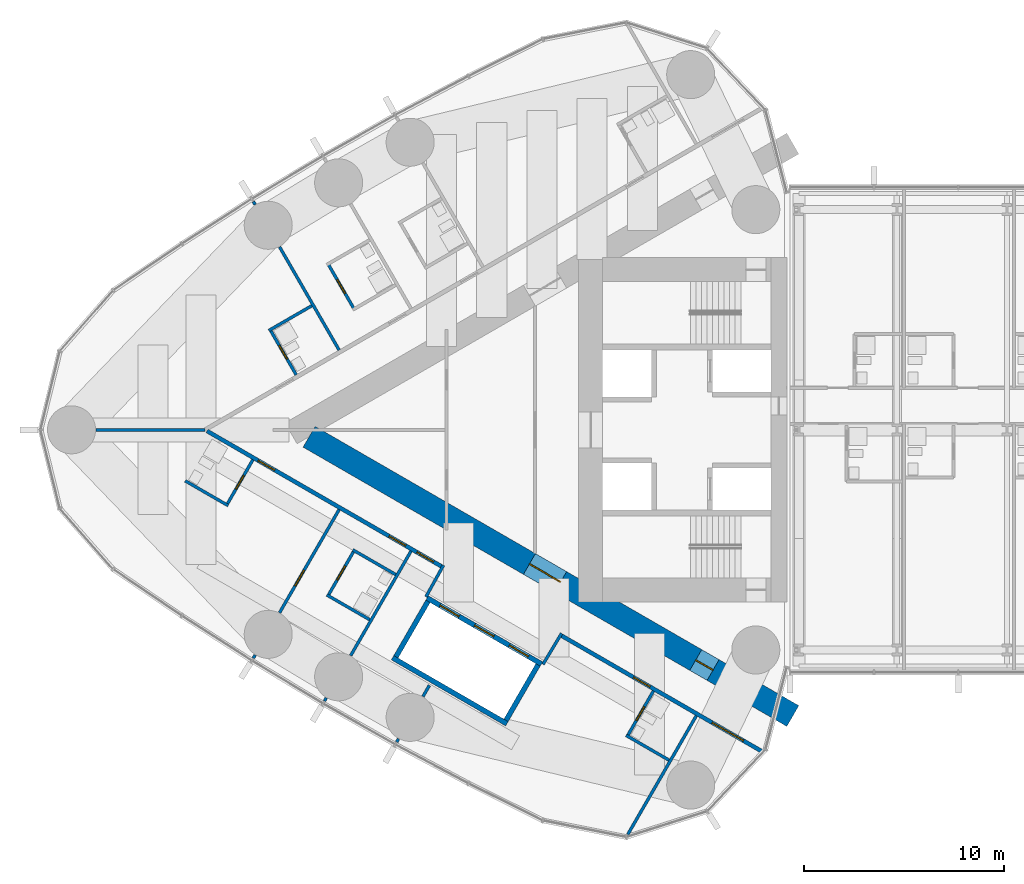
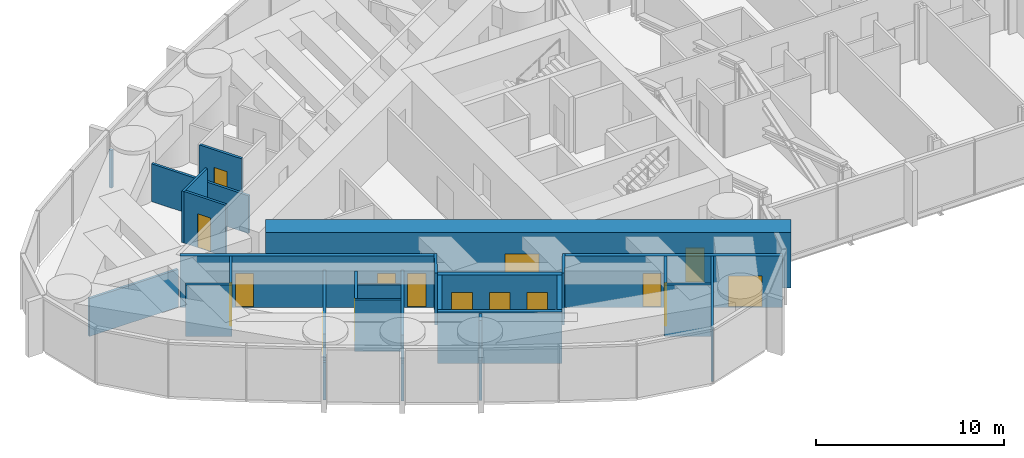
# One storey, part 14 of 23: 29 walls, 16 doors, 16 openings.
"""IFC4 building model written with IfcOpenShell, lengths in metres."""

import ifcopenshell
import ifcopenshell.guid

model = None  # the IFC model being written
_history = None  # IfcOwnerHistory: only IFC2X3 demands one
_inside = {}  # id of a spatial element -> (the spatial element, [elements in it])
_under = {}  # id of a project, library or spatial element -> (it, [spatial elements below it])
_declared = {}  # id of a project -> (the project, [libraries it declares])
_typed = {}  # id of a type object -> (the type object, [elements of that type])
_made_of = {}  # id of a material, layer set ... -> (it, [elements and type objects made of it])


def new_model(schema):
    """Start an empty IFC model of exactly this schema.

    Asked for "IFC4X3", IfcOpenShell would pick the latest addendum, in which some entities
    have other attributes; the version numbers below select the first issue.
    IFC2X3 requires an IfcOwnerHistory on every rooted entity: one is made here for all.
    """
    global model, _history
    if schema == "IFC4X3":
        model = ifcopenshell.file(schema_version=(4, 3, 0, 0))
    else:
        model = ifcopenshell.file(schema=schema)
    _inside.clear()
    _under.clear()
    _declared.clear()
    _typed.clear()
    _made_of.clear()
    _history = None
    if model.schema == "IFC2X3":
        org = make("IfcOrganization", Name="unknown")
        user = make(
            "IfcPersonAndOrganization",
            ThePerson=make("IfcPerson", FamilyName="unknown"),
            TheOrganization=org,
        )
        app = make(
            "IfcApplication",
            ApplicationDeveloper=org,
            Version="unknown",
            ApplicationFullName="unknown",
            ApplicationIdentifier="unknown",
        )
        _history = make(
            "IfcOwnerHistory",
            OwningUser=user,
            OwningApplication=app,
            ChangeAction="ADDED",
            CreationDate=0,
        )
    return model


def make(cls, **values):
    """One entity of the class cls with the attributes given. An attribute that is None is left unset."""
    return model.create_entity(
        cls, **{name: value for name, value in values.items() if value is not None}
    )


def rooted(cls, **values):
    """An entity with a GlobalId (a new one), such as an element, a storey or a relation."""
    return make(cls, GlobalId=ifcopenshell.guid.new(), OwnerHistory=_history, **values)


def si_unit(unit_type, name, prefix=None):
    """IfcSIUnit, for example si_unit("LENGTHUNIT", "METRE", prefix="MILLI")."""
    return make("IfcSIUnit", UnitType=unit_type, Prefix=prefix, Name=name)


def assignment(units):
    """IfcUnitAssignment: the units of a project."""
    return None if units is None else make("IfcUnitAssignment", Units=units)


def point(xyz):
    """IfcCartesianPoint."""
    return None if xyz is None else make("IfcCartesianPoint", Coordinates=xyz)


def direction(xyz):
    """IfcDirection."""
    return None if xyz is None else make("IfcDirection", DirectionRatios=xyz)


def frame(location, z_axis=None, x_axis=None):
    """IfcAxis2Placement3D, a coordinate frame: its origin and axes. An axis left out is left unset."""
    return make(
        "IfcAxis2Placement3D",
        Location=point(location),
        Axis=direction(z_axis),
        RefDirection=direction(x_axis),
    )


def frame_2d(location, x_axis=None):
    """IfcAxis2Placement2D, a coordinate frame in the plane: its origin and x axis."""
    return make(
        "IfcAxis2Placement2D", Location=point(location), RefDirection=direction(x_axis)
    )


def origin():
    """The frame at (0, 0, 0) with its axes left unset."""
    return frame((0.0, 0.0, 0.0))


def place(relative_to, where):
    """IfcLocalPlacement: puts the frame where relative to a parent placement (None: the world)."""
    return make(
        "IfcLocalPlacement", PlacementRelTo=relative_to, RelativePlacement=where
    )


def context(
    kind, dimensions, precision=None, world=None, true_north=None, identifier=None
):
    """IfcGeometricRepresentationContext, for example the 3D "Model" context."""
    return make(
        "IfcGeometricRepresentationContext",
        ContextIdentifier=identifier,
        ContextType=kind,
        CoordinateSpaceDimension=dimensions,
        Precision=precision,
        WorldCoordinateSystem=world,
        TrueNorth=true_north,
    )


def subcontext(parent, identifier, kind, view, scale=None):
    """IfcGeometricRepresentationSubContext, for example "Body" below "Model"."""
    return make(
        "IfcGeometricRepresentationSubContext",
        ContextIdentifier=identifier,
        ContextType=kind,
        ParentContext=parent,
        TargetScale=scale,
        TargetView=view,
    )


def project(units=None, contexts=None):
    """IfcProject with its units and contexts."""
    return rooted(
        "IfcProject",
        Name="project",
        RepresentationContexts=contexts,
        UnitsInContext=assignment(units),
    )


def spatial(cls, under=None, at=None, **own):
    """A site, building, storey or space (cls), placed at a placement, below another one or the project."""
    s = rooted(cls, ObjectPlacement=at, **own)
    if under is not None:
        _under.setdefault(under.id(), (under, []))[1].append(s)
    return s


def profile(cls, at=None, kind="AREA", **sizes):
    """A parametric profile (cls). Its sizes go by their IFC names, for example OverallWidth=200.0."""
    return make(cls, ProfileType=kind, Position=at, **sizes)


def rectangle(**sizes):
    """IfcRectangleProfileDef."""
    return profile("IfcRectangleProfileDef", **sizes)


def extrude(swept, where, along, depth):
    """IfcExtrudedAreaSolid: the profile swept, set in the frame where, extruded along a direction by depth."""
    return make(
        "IfcExtrudedAreaSolid",
        SweptArea=swept,
        Position=where,
        ExtrudedDirection=direction(along),
        Depth=depth,
    )


def shape(context_of_items, identifier, shape_type, items):
    """IfcShapeRepresentation: the items that make up one representation, for example the "Body"."""
    return make(
        "IfcShapeRepresentation",
        ContextOfItems=context_of_items,
        RepresentationIdentifier=identifier,
        RepresentationType=shape_type,
        Items=items,
    )


def material(Name=None, Category=None):
    """IfcMaterial."""
    return make("IfcMaterial", Name=Name, Category=Category)


def layer(
    of_material, thickness, ventilated=None, Name=None, Category=None, Priority=None
):
    """IfcMaterialLayer: one layer of a wall or slab, of a material (None: an air gap)."""
    return make(
        "IfcMaterialLayer",
        Material=of_material,
        LayerThickness=thickness,
        IsVentilated=ventilated,
        Name=Name,
        Category=Category,
        Priority=Priority,
    )


def layer_set(layers, Name=None):
    """IfcMaterialLayerSet."""
    return make("IfcMaterialLayerSet", MaterialLayers=layers, LayerSetName=Name)


def made_of(thing, what):
    """Note that an element or type object is made of a material, layer set ...; save() writes the relation."""
    if what is not None:
        _made_of.setdefault(what.id(), (what, []))[1].append(thing)
    return thing


def type_object(cls, material=None, **own):
    """A type object (cls), such as IfcWallType, which elements share."""
    return made_of(rooted(cls, **own), material)


def element(
    cls,
    number,
    at=None,
    inside=None,
    cuts=None,
    type_object=None,
    material=None,
    context=None,
    identifier="Body",
    shape_type=None,
    held_by="IfcProductDefinitionShape",
    body=None,
    shapes=None,
    **own,
):
    """One element of the class cls, such as IfcWall. Its Tag is "e" and its number.

    at: its placement. inside: the storey or other place that contains it. cuts: it is an
    opening in that element (IfcRelVoidsElement). A single representation is given by context,
    identifier, shape_type and body (its items); several are given by shapes. held_by: the class
    of the entity that holds the representations. save() writes the other relations.
    """
    e = rooted(cls, Tag="e%d" % number, ObjectPlacement=at, **own)
    if body is not None:
        shapes = [shape(context, identifier, shape_type, body)]
    if shapes is not None:
        e.Representation = make(held_by, Representations=shapes)
    if inside is not None:
        _inside.setdefault(inside.id(), (inside, []))[1].append(e)
    if cuts is not None:
        rooted(
            "IfcRelVoidsElement", RelatingBuildingElement=cuts, RelatedOpeningElement=e
        )
    if type_object is not None:
        _typed.setdefault(type_object.id(), (type_object, []))[1].append(e)
    return made_of(e, material)


def fill(opening, filler):
    """IfcRelFillsElement: the door or window that sits in an opening."""
    return rooted(
        "IfcRelFillsElement",
        RelatingOpeningElement=opening,
        RelatedBuildingElement=filler,
    )


def aggregate(whole, parts):
    """IfcRelAggregates: a whole, such as a stair, and the parts it consists of."""
    return rooted("IfcRelAggregates", RelatingObject=whole, RelatedObjects=parts)


def save(model, path):
    """Write the relations noted so far, then the file.

    IfcRelAggregates (storeys below a building ...), IfcRelContainedInSpatialStructure (elements
    in a storey), IfcRelDefinesByType, IfcRelAssociatesMaterial and IfcRelDeclares: one each for
    every whole, place, type object, material and project.
    """
    for whole, parts in _under.values():
        aggregate(whole, parts)
    for where, things in _inside.values():
        rooted(
            "IfcRelContainedInSpatialStructure",
            RelatedElements=things,
            RelatingStructure=where,
        )
    for kind, things in _typed.values():
        rooted("IfcRelDefinesByType", RelatedObjects=things, RelatingType=kind)
    for what, things in _made_of.values():
        rooted("IfcRelAssociatesMaterial", RelatedObjects=things, RelatingMaterial=what)
    for by, libraries in _declared.values():
        rooted("IfcRelDeclares", RelatingContext=by, RelatedDefinitions=libraries)
    model.write(path)


model = new_model("IFC4")

# Units and contexts
model_context = context("Model", 3, precision=1e-05, world=origin(), true_north=direction((0.0, 1.0)))
body_context = subcontext(model_context, "Body", "Model", "MODEL_VIEW")
ifc_project = project(units=[si_unit("LENGTHUNIT", "METRE"), si_unit("AREAUNIT", "SQUARE_METRE"), si_unit("VOLUMEUNIT", "CUBIC_METRE"), si_unit("PLANEANGLEUNIT", "RADIAN"), si_unit("MASSUNIT", "GRAM", prefix="KILO")], contexts=[model_context])

# Site, building, storey
site_placement = place(None, origin())
site = spatial("IfcSite", under=ifc_project, at=site_placement, CompositionType="ELEMENT")
building_placement = place(site_placement, origin())
building = spatial("IfcBuilding", under=site, at=building_placement, Name="Lancet Gate Hotel", CompositionType="ELEMENT")
storey_placement = place(building_placement, frame((0.0, 0.0, 222.5)))
storey = spatial("IfcBuildingStorey", under=building, at=storey_placement, Name="L59", CompositionType="ELEMENT", Elevation=222.5)

# Wall, opening, door
ifc_material_1 = material(Name="Moisture resistant board partition")
ifc_layer_1 = layer(ifc_material_1, 0.14990234375)
ifc_layer_set_1 = layer_set([ifc_layer_1], Name="Bathroom wall 150")
wall_type_1 = type_object("IfcWallType", Name="Bathroom wall 150", PredefinedType="PARTITIONING", material=ifc_layer_set_1)
wall_1_placement = place(storey_placement, frame((-49.116943359375, 6.033935546875, 0.0), z_axis=(0.0, 0.0, 1.0), x_axis=(-0.500006934395, 0.866021400173, 0.0)))
wall_1 = element("IfcWall", 1, at=wall_1_placement, inside=storey, type_object=wall_type_1, Name="T1 bathroom wall 150 L59", PredefinedType="PARTITIONING", context=body_context, shape_type="SweptSolid", body=[
    extrude(rectangle(XDim=2.60009765625, YDim=0.14990234375, at=frame_2d((1.300048828125, 0.0))), origin(), (0.0, 0.0, 1.0), 3.35009765625),
])
opening_1_placement = place(wall_1_placement, frame((0.89990234375, 0.0, 0.0)))
opening_1 = element("IfcOpeningElement", 2, at=opening_1_placement, cuts=wall_1, Name="Opening 5904-B", PredefinedType="OPENING", context=body_context, shape_type="SweptSolid", body=[
    extrude(rectangle(XDim=0.800048828125, YDim=2.199951171875, at=frame_2d((0.39990234375, 1.10009765625))), frame((0.0, 0.0849609375, 0.0), z_axis=(0.0, -1.0, 0.0), x_axis=(1.0, 0.0, 0.0)), (0.0, 0.0, 1.0), 0.169921875),
])
ifc_material_2 = material(Name="Timber door set", Category="wood")
door_type_1 = type_object("IfcDoorType", Name="Bathroom door 800", OperationType="SINGLE_SWING_RIGHT", PredefinedType="DOOR", material=ifc_material_2)
door_1_placement = place(opening_1_placement, origin())
door_1 = element("IfcDoor", 3, at=door_1_placement, inside=storey, type_object=door_type_1, Name="5904-B", OperationType="SINGLE_SWING_RIGHT", OverallHeight=2.199951171875, OverallWidth=0.800048828125, PredefinedType="DOOR", context=body_context, shape_type="SweptSolid", body=[
    extrude(rectangle(XDim=0.800048828125, YDim=2.199951171875, at=frame_2d((0.39990234375, 1.10009765625))), frame((0.0, 0.02490234375, 0.0), z_axis=(0.0, -1.0, 0.0), x_axis=(1.0, 0.0, 0.0)), (0.0, 0.0, 1.0), 0.050048828125),
])
fill(opening_1, door_1)

# Wall
wall_2_placement = place(storey_placement, frame((-51.231201171875, 6.198974609375, 0.0), z_axis=(0.0, 0.0, 1.0), x_axis=(-0.866031185235, -0.4999899861, 0.0)))
element("IfcWall", 4, at=wall_2_placement, inside=storey, type_object=wall_type_1, Name="T1 bathroom wall 150 L59", PredefinedType="PARTITIONING", context=body_context, shape_type="SweptSolid", body=[
    extrude(rectangle(XDim=2.47509765625, YDim=0.14990234375, at=frame_2d((1.237548828125, 0.0))), origin(), (0.0, 0.0, 1.0), 3.35009765625),
])

# Wall, opening, door
wall_3_placement = place(storey_placement, frame((-52.009765625, 2.747314453125, 0.0), z_axis=(0.0, 0.0, 1.0), x_axis=(-0.500006934395, 0.866021400173, 0.0)))
wall_3 = element("IfcWall", 5, at=wall_3_placement, inside=storey, type_object=wall_type_1, Name="T1 bathroom wall 150 L59", PredefinedType="PARTITIONING", context=body_context, shape_type="SweptSolid", body=[
    extrude(rectangle(XDim=2.60009765625, YDim=0.14990234375, at=frame_2d((1.300048828125, 0.0))), origin(), (0.0, 0.0, 1.0), 3.35009765625),
])
opening_2_placement = place(wall_3_placement, frame((0.89990234375, 0.0, 0.0)))
opening_2 = element("IfcOpeningElement", 6, at=opening_2_placement, cuts=wall_3, Name="Opening 5905-B", PredefinedType="OPENING", context=body_context, shape_type="SweptSolid", body=[
    extrude(rectangle(XDim=0.800048828125, YDim=2.199951171875, at=frame_2d((0.39990234375, 1.10009765625))), frame((0.0, 0.0849609375, 0.0), z_axis=(0.0, -1.0, 0.0), x_axis=(1.0, 0.0, 0.0)), (0.0, 0.0, 1.0), 0.169921875),
])
door_2_placement = place(opening_2_placement, origin())
door_2 = element("IfcDoor", 7, at=door_2_placement, inside=storey, type_object=door_type_1, Name="5905-B", OperationType="SINGLE_SWING_RIGHT", OverallHeight=2.199951171875, OverallWidth=0.800048828125, PredefinedType="DOOR", context=body_context, shape_type="SweptSolid", body=[
    extrude(rectangle(XDim=0.800048828125, YDim=2.199951171875, at=frame_2d((0.39990234375, 1.10009765625))), frame((0.0, 0.02490234375, 0.0), z_axis=(0.0, -1.0, 0.0), x_axis=(1.0, 0.0, 0.0)), (0.0, 0.0, 1.0), 0.050048828125),
])
fill(opening_2, door_2)

# Wall
wall_4_placement = place(storey_placement, frame((-55.4111328125, -3.785888671875, 0.0), z_axis=(0.0, 0.0, 1.0), x_axis=(-0.866006523861, 0.500032699561, 0.0)))
element("IfcWall", 8, at=wall_4_placement, inside=storey, type_object=wall_type_1, Name="T1 bathroom wall 150 L59", PredefinedType="PARTITIONING", context=body_context, shape_type="SweptSolid", body=[
    extrude(rectangle(XDim=2.474853515625, YDim=0.14990234375, at=frame_2d((1.2373046875, 0.0))), origin(), (0.0, 0.0, 1.0), 3.35009765625),
])

# Wall, opening, door
wall_5_placement = place(storey_placement, frame((-54.176025390625, -1.49658203125, 0.0), z_axis=(0.0, 0.0, 1.0), x_axis=(-0.500006934395, -0.866021400173, 0.0)))
wall_5 = element("IfcWall", 9, at=wall_5_placement, inside=storey, type_object=wall_type_1, Name="T1 bathroom wall 150 L59", PredefinedType="PARTITIONING", context=body_context, shape_type="SweptSolid", body=[
    extrude(rectangle(XDim=2.60009765625, YDim=0.14990234375, at=frame_2d((1.300048828125, 0.0))), origin(), (0.0, 0.0, 1.0), 3.35009765625),
])
opening_3_placement = place(wall_5_placement, frame((0.89990234375, 0.0, 0.0)))
opening_3 = element("IfcOpeningElement", 10, at=opening_3_placement, cuts=wall_5, Name="Opening 5906-B", PredefinedType="OPENING", context=body_context, shape_type="SweptSolid", body=[
    extrude(rectangle(XDim=0.800048828125, YDim=2.199951171875, at=frame_2d((0.39990234375, 1.10009765625))), frame((0.0, 0.0849609375, 0.0), z_axis=(0.0, -1.0, 0.0), x_axis=(1.0, 0.0, 0.0)), (0.0, 0.0, 1.0), 0.169921875),
])
door_3_placement = place(opening_3_placement, origin())
door_3 = element("IfcDoor", 11, at=door_3_placement, inside=storey, type_object=door_type_1, Name="5906-B", OperationType="SINGLE_SWING_RIGHT", OverallHeight=2.199951171875, OverallWidth=0.800048828125, PredefinedType="DOOR", context=body_context, shape_type="SweptSolid", body=[
    extrude(rectangle(XDim=0.800048828125, YDim=2.199951171875, at=frame_2d((0.39990234375, 1.10009765625))), frame((0.0, 0.02490234375, 0.0), z_axis=(0.0, -1.0, 0.0), x_axis=(1.0, 0.0, 0.0)), (0.0, 0.0, 1.0), 0.050048828125),
])
fill(opening_3, door_3)

# Wall
wall_6_placement = place(storey_placement, frame((-48.338623046875, -9.485595703125, 0.0), z_axis=(0.0, 0.0, 1.0), x_axis=(-0.866006523861, 0.500032699561, 0.0)))
element("IfcWall", 12, at=wall_6_placement, inside=storey, type_object=wall_type_1, Name="T1 bathroom wall 150 L59", PredefinedType="PARTITIONING", context=body_context, shape_type="SweptSolid", body=[
    extrude(rectangle(XDim=2.474853515625, YDim=0.14990234375, at=frame_2d((1.2373046875, 0.0))), origin(), (0.0, 0.0, 1.0), 3.35009765625),
])

# Wall, opening, door
wall_7_placement = place(storey_placement, frame((-49.116943359375, -6.033935546875, 0.0), z_axis=(0.0, 0.0, 1.0), x_axis=(-0.500006934395, -0.866021400173, 0.0)))
wall_7 = element("IfcWall", 13, at=wall_7_placement, inside=storey, type_object=wall_type_1, Name="T1 bathroom wall 150 L59", PredefinedType="PARTITIONING", context=body_context, shape_type="SweptSolid", body=[
    extrude(rectangle(XDim=2.60009765625, YDim=0.14990234375, at=frame_2d((1.300048828125, 0.0))), origin(), (0.0, 0.0, 1.0), 3.35009765625),
])
opening_4_placement = place(wall_7_placement, frame((0.89990234375, 0.0, 0.0)))
opening_4 = element("IfcOpeningElement", 14, at=opening_4_placement, cuts=wall_7, Name="Opening 5907-B", PredefinedType="OPENING", context=body_context, shape_type="SweptSolid", body=[
    extrude(rectangle(XDim=0.800048828125, YDim=2.199951171875, at=frame_2d((0.39990234375, 1.10009765625))), frame((0.0, 0.0849609375, 0.0), z_axis=(0.0, -1.0, 0.0), x_axis=(1.0, 0.0, 0.0)), (0.0, 0.0, 1.0), 0.169921875),
])
door_4_placement = place(opening_4_placement, origin())
door_4 = element("IfcDoor", 15, at=door_4_placement, inside=storey, type_object=door_type_1, Name="5907-B", OperationType="SINGLE_SWING_RIGHT", OverallHeight=2.199951171875, OverallWidth=0.800048828125, PredefinedType="DOOR", context=body_context, shape_type="SweptSolid", body=[
    extrude(rectangle(XDim=0.800048828125, YDim=2.199951171875, at=frame_2d((0.39990234375, 1.10009765625))), frame((0.0, 0.02490234375, 0.0), z_axis=(0.0, -1.0, 0.0), x_axis=(1.0, 0.0, 0.0)), (0.0, 0.0, 1.0), 0.050048828125),
])
fill(opening_4, door_4)

# Walls
wall_8_placement = place(storey_placement, frame((-47.03857421875, -7.23388671875, 0.0), z_axis=(0.0, 0.0, 1.0), x_axis=(-0.866073894602, 0.499916002032, 0.0)))
element("IfcWall", 16, at=wall_8_placement, inside=storey, type_object=wall_type_1, Name="T1 bathroom wall 150 L59", PredefinedType="PARTITIONING", context=body_context, shape_type="SweptSolid", body=[
    extrude(rectangle(XDim=2.47509765625, YDim=0.14990234375, at=frame_2d((1.237548828125, 0.0))), origin(), (0.0, 0.0, 1.0), 2.5),
])
wall_9_placement = place(storey_placement, frame((-33.38671875, -16.501708984375, 0.0), z_axis=(0.0, 0.0, 1.0), x_axis=(-0.866006523861, 0.500032699561, 0.0)))
element("IfcWall", 17, at=wall_9_placement, inside=storey, type_object=wall_type_1, Name="T1 bathroom wall 150 L59", PredefinedType="PARTITIONING", context=body_context, shape_type="SweptSolid", body=[
    extrude(rectangle(XDim=2.474853515625, YDim=0.14990234375, at=frame_2d((1.2373046875, 0.0))), origin(), (0.0, 0.0, 1.0), 3.35009765625),
])

# Wall, opening, door
wall_10_placement = place(storey_placement, frame((-34.1650390625, -13.050048828125, 0.0), z_axis=(0.0, 0.0, 1.0), x_axis=(-0.500047596559, -0.865997922154, 0.0)))
wall_10 = element("IfcWall", 18, at=wall_10_placement, inside=storey, type_object=wall_type_1, Name="T1 bathroom wall 150 L59", PredefinedType="PARTITIONING", context=body_context, shape_type="SweptSolid", body=[
    extrude(rectangle(XDim=2.599853515625, YDim=0.14990234375, at=frame_2d((1.2998046875, 0.0))), origin(), (0.0, 0.0, 1.0), 3.35009765625),
])
opening_5_placement = place(wall_10_placement, frame((0.89990234375, 0.0, 0.0)))
opening_5 = element("IfcOpeningElement", 19, at=opening_5_placement, cuts=wall_10, Name="Opening 5909-B", PredefinedType="OPENING", context=body_context, shape_type="SweptSolid", body=[
    extrude(rectangle(XDim=0.800048828125, YDim=2.199951171875, at=frame_2d((0.39990234375, 1.10009765625))), frame((0.0, 0.0849609375, 0.0), z_axis=(0.0, -1.0, 0.0), x_axis=(1.0, 0.0, 0.0)), (0.0, 0.0, 1.0), 0.169921875),
])
door_5_placement = place(opening_5_placement, origin())
door_5 = element("IfcDoor", 20, at=door_5_placement, inside=storey, type_object=door_type_1, Name="5909-B", OperationType="SINGLE_SWING_RIGHT", OverallHeight=2.199951171875, OverallWidth=0.800048828125, PredefinedType="DOOR", context=body_context, shape_type="SweptSolid", body=[
    extrude(rectangle(XDim=0.800048828125, YDim=2.199951171875, at=frame_2d((0.39990234375, 1.10009765625))), frame((0.0, 0.02490234375, 0.0), z_axis=(0.0, -1.0, 0.0), x_axis=(1.0, 0.0, 0.0)), (0.0, 0.0, 1.0), 0.050048828125),
])
fill(opening_5, door_5)

# Wall, openings, doors
ifc_material_3 = material(Name="Concrete C70/85", Category="concrete")
ifc_layer_2 = layer(ifc_material_3, 1.199951171875)
ifc_layer_set_2 = layer_set([ifc_layer_2], Name="Buttress wall 1200")
wall_type_2 = type_object("IfcWallType", Name="Buttress wall 1200", PredefinedType="SHEAR", material=ifc_layer_set_2)
wall_11_placement = place(storey_placement, frame((-27.199951171875, -14.300048828125, 0.0), z_axis=(0.0, 0.0, 1.0), x_axis=(-0.866024021859, 0.500002393557, 0.0)))
wall_11 = element("IfcWall", 21, at=wall_11_placement, inside=storey, type_object=wall_type_2, Name="T1 buttress wall N L59", PredefinedType="SHEAR", context=body_context, shape_type="SweptSolid", body=[
    extrude(rectangle(XDim=27.906982421875, YDim=1.199951171875, at=frame_2d((13.95361328125, 0.0))), origin(), (0.0, 0.0, 1.0), 3.60009765625),
])
opening_6_placement = place(wall_11_placement, frame((4.60009765625, 0.0, 0.0)))
opening_6 = element("IfcOpeningElement", 22, at=opening_6_placement, cuts=wall_11, Name="Opening T1-L59-LN", PredefinedType="OPENING", context=body_context, shape_type="SweptSolid", body=[
    extrude(rectangle(XDim=1.0, YDim=2.199951171875, at=frame_2d((0.5, 1.10009765625))), frame((0.0, 0.60986328125, 0.0), z_axis=(0.0, -1.0, 0.0), x_axis=(1.0, 0.0, 0.0)), (0.0, 0.0, 1.0), 1.219970703125),
])
opening_7_placement = place(wall_11_placement, frame((13.39453125, 0.0, 0.0)))
opening_7 = element("IfcOpeningElement", 23, at=opening_7_placement, cuts=wall_11, Name="Opening T1-L59-LHN", PredefinedType="OPENING", context=body_context, shape_type="SweptSolid", body=[
    extrude(rectangle(XDim=1.800048828125, YDim=2.199951171875, at=frame_2d((0.89990234375, 1.10009765625))), frame((0.0, 0.60986328125, 0.0), z_axis=(0.0, -1.0, 0.0), x_axis=(1.0, 0.0, 0.0)), (0.0, 0.0, 1.0), 1.219970703125),
])
ifc_material_4 = material(Name="Timber door set", Category="wood")
door_type_2 = type_object("IfcDoorType", Name="Lobby double door 1800", OperationType="DOUBLE_DOOR_SINGLE_SWING", PredefinedType="DOOR", material=ifc_material_4)
door_6_placement = place(opening_7_placement, origin())
door_6 = element("IfcDoor", 24, at=door_6_placement, inside=storey, type_object=door_type_2, Name="T1-L59-LHN", OperationType="DOUBLE_DOOR_SINGLE_SWING", OverallHeight=2.199951171875, OverallWidth=1.800048828125, PredefinedType="DOOR", context=body_context, shape_type="SweptSolid", body=[
    extrude(rectangle(XDim=1.800048828125, YDim=2.199951171875, at=frame_2d((0.89990234375, 1.10009765625))), frame((0.0, 0.02490234375, 0.0), z_axis=(0.0, -1.0, 0.0), x_axis=(1.0, 0.0, 0.0)), (0.0, 0.0, 1.0), 0.050048828125),
])
fill(opening_7, door_6)
ifc_material_5 = material(Name="Timber door set", Category="wood")
door_type_3 = type_object("IfcDoorType", Name="Stair lobby door 1000", OperationType="SINGLE_SWING_LEFT", PredefinedType="DOOR", material=ifc_material_5)
door_7_placement = place(opening_6_placement, origin())
door_7 = element("IfcDoor", 25, at=door_7_placement, inside=storey, type_object=door_type_3, Name="T1-L59-LN", OperationType="SINGLE_SWING_LEFT", OverallHeight=2.199951171875, OverallWidth=1.0, PredefinedType="DOOR", context=body_context, shape_type="SweptSolid", body=[
    extrude(rectangle(XDim=1.0, YDim=2.199951171875, at=frame_2d((0.5, 1.10009765625))), frame((0.0, 0.02490234375, 0.0), z_axis=(0.0, -1.0, 0.0), x_axis=(1.0, 0.0, 0.0)), (0.0, 0.0, 1.0), 0.050048828125),
])
fill(opening_6, door_7)

ifc_material_6 = material(Name="Gypsum board partition")
ifc_layer_3 = layer(ifc_material_6, 0.199951171875)
ifc_layer_set_3 = layer_set([ifc_layer_3], Name="Corridor wall 200")
wall_type_3 = type_object("IfcWallType", Name="Corridor wall 200", PredefinedType="PARTITIONING", material=ifc_layer_set_3)
wall_12_placement = place(storey_placement, frame((-28.737060546875, -16.068359375, 0.0), z_axis=(0.0, 0.0, 1.0), x_axis=(-0.866029399323, 0.49999307946, 0.0)))
wall_12 = element("IfcWall", 26, at=wall_12_placement, inside=storey, type_object=wall_type_3, Name="T1 corridor wall 200 L59", PredefinedType="PARTITIONING", context=body_context, shape_type="SweptSolid", body=[
    extrude(rectangle(XDim=11.609619140625, YDim=0.199951171875, at=frame_2d((5.8046875, 0.0))), origin(), (0.0, 0.0, 1.0), 3.35009765625),
])
opening_8_placement = place(wall_12_placement, frame((1.080078125, 0.0, 0.0)))
opening_8 = element("IfcOpeningElement", 27, at=opening_8_placement, cuts=wall_12, Name="Opening 5910-E", PredefinedType="OPENING", context=body_context, shape_type="SweptSolid", body=[
    extrude(rectangle(XDim=1.800048828125, YDim=2.030029296875, at=frame_2d((0.89990234375, 1.01513671875))), frame((0.0, 0.10986328125, 0.0), z_axis=(0.0, -1.0, 0.0), x_axis=(1.0, 0.0, 0.0)), (0.0, 0.0, 1.0), 0.219970703125),
])
opening_9_placement = place(wall_12_placement, frame((6.460205078125, 0.0, 0.0)))
opening_9 = element("IfcOpeningElement", 28, at=opening_9_placement, cuts=wall_12, Name="Opening 5909-E", PredefinedType="OPENING", context=body_context, shape_type="SweptSolid", body=[
    extrude(rectangle(XDim=0.949951171875, YDim=2.199951171875, at=frame_2d((0.47509765625, 1.10009765625))), frame((0.0, 0.10986328125, 0.0), z_axis=(0.0, -1.0, 0.0), x_axis=(1.0, 0.0, 0.0)), (0.0, 0.0, 1.0), 0.219970703125),
])
ifc_material_7 = material(Name="Timber door set", Category="wood")
door_type_4 = type_object("IfcDoorType", Name="Double door 1800, 2030 high", OperationType="DOUBLE_DOOR_SINGLE_SWING", PredefinedType="DOOR", material=ifc_material_7)
door_8_placement = place(opening_8_placement, origin())
door_8 = element("IfcDoor", 29, at=door_8_placement, inside=storey, type_object=door_type_4, Name="5910-E", OperationType="DOUBLE_DOOR_SINGLE_SWING", OverallHeight=2.030029296875, OverallWidth=1.800048828125, PredefinedType="DOOR", context=body_context, shape_type="SweptSolid", body=[
    extrude(rectangle(XDim=1.800048828125, YDim=2.030029296875, at=frame_2d((0.89990234375, 1.01513671875))), frame((0.0, 0.02490234375, 0.0), z_axis=(0.0, -1.0, 0.0), x_axis=(1.0, 0.0, 0.0)), (0.0, 0.0, 1.0), 0.050048828125),
])
fill(opening_8, door_8)
ifc_material_8 = material(Name="Timber door set", Category="wood")
door_type_5 = type_object("IfcDoorType", Name="Guest room entry door 950", OperationType="SINGLE_SWING_LEFT", PredefinedType="DOOR", material=ifc_material_8)
door_9_placement = place(opening_9_placement, origin())
door_9 = element("IfcDoor", 30, at=door_9_placement, inside=storey, type_object=door_type_5, Name="5909-E", OperationType="SINGLE_SWING_LEFT", OverallHeight=2.199951171875, OverallWidth=0.949951171875, PredefinedType="DOOR", context=body_context, shape_type="SweptSolid", body=[
    extrude(rectangle(XDim=0.949951171875, YDim=2.199951171875, at=frame_2d((0.47509765625, 1.10009765625))), frame((0.0, 0.02490234375, 0.0), z_axis=(0.0, -1.0, 0.0), x_axis=(1.0, 0.0, 0.0)), (0.0, 0.0, 1.0), 0.050048828125),
])
fill(opening_9, door_9)

wall_13_placement = place(storey_placement, frame((-44.715087890625, -6.843505859375, 0.0), z_axis=(0.0, 0.0, 1.0), x_axis=(-0.866025261224, 0.500000246922, 0.0)))
wall_13 = element("IfcWall", 31, at=wall_13_placement, inside=storey, type_object=wall_type_3, Name="T1 corridor wall 200 L59", PredefinedType="PARTITIONING", context=body_context, shape_type="SweptSolid", body=[
    extrude(rectangle(XDim=13.56689453125, YDim=0.199951171875, at=frame_2d((6.783447265625, 0.0))), origin(), (0.0, 0.0, 1.0), 3.35009765625),
])
opening_10_placement = place(wall_13_placement, frame((9.6669921875, 0.0, 0.0)))
opening_10 = element("IfcOpeningElement", 32, at=opening_10_placement, cuts=wall_13, Name="Opening 5906-E", PredefinedType="OPENING", context=body_context, shape_type="SweptSolid", body=[
    extrude(rectangle(XDim=0.949951171875, YDim=2.199951171875, at=frame_2d((0.47509765625, 1.10009765625))), frame((0.0, 0.10986328125, 0.0), z_axis=(0.0, -1.0, 0.0), x_axis=(1.0, 0.0, 0.0)), (0.0, 0.0, 1.0), 0.219970703125),
])
opening_11_placement = place(wall_13_placement, frame((2.116943359375, 0.0, 0.0)))
opening_11 = element("IfcOpeningElement", 33, at=opening_11_placement, cuts=wall_13, Name="Opening 5907-E", PredefinedType="OPENING", context=body_context, shape_type="SweptSolid", body=[
    extrude(rectangle(XDim=0.949951171875, YDim=2.199951171875, at=frame_2d((0.47509765625, 1.10009765625))), frame((0.0, 0.10986328125, 0.0), z_axis=(0.0, -1.0, 0.0), x_axis=(1.0, 0.0, 0.0)), (0.0, 0.0, 1.0), 0.219970703125),
])
opening_12_placement = place(wall_13_placement, frame((0.5, 0.0, 0.0)))
opening_12 = element("IfcOpeningElement", 34, at=opening_12_placement, cuts=wall_13, Name="Opening T1-L59-LO1", PredefinedType="OPENING", context=body_context, shape_type="SweptSolid", body=[
    extrude(rectangle(XDim=0.967041015625, YDim=2.199951171875, at=frame_2d((0.4833984375, 1.10009765625))), frame((0.0, 0.10986328125, 0.0), z_axis=(0.0, -1.0, 0.0), x_axis=(1.0, 0.0, 0.0)), (0.0, 0.0, 1.0), 0.219970703125),
])
door_10_placement = place(opening_10_placement, origin())
door_10 = element("IfcDoor", 35, at=door_10_placement, inside=storey, type_object=door_type_5, Name="5906-E", OperationType="SINGLE_SWING_LEFT", OverallHeight=2.199951171875, OverallWidth=0.949951171875, PredefinedType="DOOR", context=body_context, shape_type="SweptSolid", body=[
    extrude(rectangle(XDim=0.949951171875, YDim=2.199951171875, at=frame_2d((0.47509765625, 1.10009765625))), frame((0.0, 0.02490234375, 0.0), z_axis=(0.0, -1.0, 0.0), x_axis=(1.0, 0.0, 0.0)), (0.0, 0.0, 1.0), 0.050048828125),
])
fill(opening_10, door_10)
door_11_placement = place(opening_11_placement, origin())
door_11 = element("IfcDoor", 36, at=door_11_placement, inside=storey, type_object=door_type_5, Name="5907-E", OperationType="SINGLE_SWING_LEFT", OverallHeight=2.199951171875, OverallWidth=0.949951171875, PredefinedType="DOOR", context=body_context, shape_type="SweptSolid", body=[
    extrude(rectangle(XDim=0.949951171875, YDim=2.199951171875, at=frame_2d((0.47509765625, 1.10009765625))), frame((0.0, 0.02490234375, 0.0), z_axis=(0.0, -1.0, 0.0), x_axis=(1.0, 0.0, 0.0)), (0.0, 0.0, 1.0), 0.050048828125),
])
fill(opening_11, door_11)
door_12_placement = place(opening_12_placement, origin())
door_12 = element("IfcDoor", 37, at=door_12_placement, inside=storey, type_object=door_type_5, Name="T1-L59-LO1", OperationType="SINGLE_SWING_LEFT", OverallHeight=2.199951171875, OverallWidth=0.967041015625, PredefinedType="DOOR", context=body_context, shape_type="SweptSolid", body=[
    extrude(rectangle(XDim=0.967041015625, YDim=2.199951171875, at=frame_2d((0.4833984375, 1.10009765625))), frame((0.0, 0.02490234375, 0.0), z_axis=(0.0, -1.0, 0.0), x_axis=(1.0, 0.0, 0.0)), (0.0, 0.0, 1.0), 0.050048828125),
])
fill(opening_12, door_12)

ifc_material_9 = material(Name="Gypsum board partition")
ifc_layer_4 = layer(ifc_material_9, 0.25)
ifc_layer_set_4 = layer_set([ifc_layer_4], Name="Lift shaft partition 250")
wall_type_4 = type_object("IfcWallType", Name="Lift shaft partition 250", PredefinedType="PARTITIONING", material=ifc_layer_set_4)
wall_14_placement = place(storey_placement, frame((-39.757568359375, -11.697265625, 0.0), z_axis=(0.0, 0.0, 1.0), x_axis=(-0.866024194504, 0.500002094529, 0.0)))
wall_14 = element("IfcWall", 38, at=wall_14_placement, inside=storey, type_object=wall_type_4, Name="T1 lift shaft wall HL L59", PredefinedType="PARTITIONING", context=body_context, shape_type="SweptSolid", body=[
    extrude(rectangle(XDim=6.60009765625, YDim=0.25, at=frame_2d((3.300048828125, 0.0))), origin(), (0.0, 0.0, 1.0), 3.35009765625),
])
opening_13_placement = place(wall_14_placement, frame((0.75, 0.0, 0.0)))
opening_13 = element("IfcOpeningElement", 39, at=opening_13_placement, cuts=wall_14, Name="Opening T1-HL1-L59", PredefinedType="OPENING", context=body_context, shape_type="SweptSolid", body=[
    extrude(rectangle(XDim=1.10009765625, YDim=2.199951171875, at=frame_2d((0.550048828125, 1.10009765625))), frame((0.0, 0.135009765625, 0.0), z_axis=(0.0, -1.0, 0.0), x_axis=(1.0, 0.0, 0.0)), (0.0, 0.0, 1.0), 0.27001953125),
])
opening_14_placement = place(wall_14_placement, frame((2.75, 0.0, 0.0)))
opening_14 = element("IfcOpeningElement", 40, at=opening_14_placement, cuts=wall_14, Name="Opening T1-HL2-L59", PredefinedType="OPENING", context=body_context, shape_type="SweptSolid", body=[
    extrude(rectangle(XDim=1.10009765625, YDim=2.199951171875, at=frame_2d((0.550048828125, 1.10009765625))), frame((0.0, 0.135009765625, 0.0), z_axis=(0.0, -1.0, 0.0), x_axis=(1.0, 0.0, 0.0)), (0.0, 0.0, 1.0), 0.27001953125),
])
opening_15_placement = place(wall_14_placement, frame((4.75, 0.0, 0.0)))
opening_15 = element("IfcOpeningElement", 41, at=opening_15_placement, cuts=wall_14, Name="Opening T1-HL3-L59", PredefinedType="OPENING", context=body_context, shape_type="SweptSolid", body=[
    extrude(rectangle(XDim=1.10009765625, YDim=2.199951171875, at=frame_2d((0.550048828125, 1.10009765625))), frame((0.0, 0.135009765625, 0.0), z_axis=(0.0, -1.0, 0.0), x_axis=(1.0, 0.0, 0.0)), (0.0, 0.0, 1.0), 0.27001953125),
])
ifc_material_10 = material(Name="Steel door set", Category="steel")
door_type_6 = type_object("IfcDoorType", Name="Lift landing door 1100", OperationType="DOUBLE_DOOR_SLIDING", PredefinedType="USERDEFINED", material=ifc_material_10)
door_13_placement = place(opening_13_placement, origin())
door_13 = element("IfcDoor", 42, at=door_13_placement, inside=storey, type_object=door_type_6, Name="T1-HL1-L59", ObjectType="LIFT LANDING DOOR", OperationType="DOUBLE_DOOR_SLIDING", OverallHeight=2.199951171875, OverallWidth=1.10009765625, PredefinedType="USERDEFINED", context=body_context, shape_type="SweptSolid", body=[
    extrude(rectangle(XDim=1.10009765625, YDim=2.199951171875, at=frame_2d((0.550048828125, 1.10009765625))), frame((0.0, 0.02490234375, 0.0), z_axis=(0.0, -1.0, 0.0), x_axis=(1.0, 0.0, 0.0)), (0.0, 0.0, 1.0), 0.050048828125),
])
fill(opening_13, door_13)
door_14_placement = place(opening_14_placement, origin())
door_14 = element("IfcDoor", 43, at=door_14_placement, inside=storey, type_object=door_type_6, Name="T1-HL2-L59", ObjectType="LIFT LANDING DOOR", OperationType="DOUBLE_DOOR_SLIDING", OverallHeight=2.199951171875, OverallWidth=1.10009765625, PredefinedType="USERDEFINED", context=body_context, shape_type="SweptSolid", body=[
    extrude(rectangle(XDim=1.10009765625, YDim=2.199951171875, at=frame_2d((0.550048828125, 1.10009765625))), frame((0.0, 0.02490234375, 0.0), z_axis=(0.0, -1.0, 0.0), x_axis=(1.0, 0.0, 0.0)), (0.0, 0.0, 1.0), 0.050048828125),
])
fill(opening_14, door_14)
door_15_placement = place(opening_15_placement, origin())
door_15 = element("IfcDoor", 44, at=door_15_placement, inside=storey, type_object=door_type_6, Name="T1-HL3-L59", ObjectType="LIFT LANDING DOOR", OperationType="DOUBLE_DOOR_SLIDING", OverallHeight=2.199951171875, OverallWidth=1.10009765625, PredefinedType="USERDEFINED", context=body_context, shape_type="SweptSolid", body=[
    extrude(rectangle(XDim=1.10009765625, YDim=2.199951171875, at=frame_2d((0.550048828125, 1.10009765625))), frame((0.0, 0.02490234375, 0.0), z_axis=(0.0, -1.0, 0.0), x_axis=(1.0, 0.0, 0.0)), (0.0, 0.0, 1.0), 0.050048828125),
])
fill(opening_15, door_15)

# Walls
wall_15_placement = place(storey_placement, frame((-41.482421875, -14.685791015625, 0.0), z_axis=(0.0, 0.0, 1.0), x_axis=(-0.86603344179, 0.499986077507, 0.0)))
element("IfcWall", 45, at=wall_15_placement, inside=storey, type_object=wall_type_4, Name="T1 lift shaft wall HL L59", PredefinedType="PARTITIONING", context=body_context, shape_type="SweptSolid", body=[
    extrude(rectangle(XDim=6.600341796875, YDim=0.25, at=frame_2d((3.30029296875, 0.0))), origin(), (0.0, 0.0, 1.0), 3.35009765625),
])
for number, where, z_axis, x_axis, name in (
    (46, (-39.92822265625, -11.742919921875, 0.0), (0.0, 0.0, 1.0), (-0.499929347863, -0.866066190972, 0.0), "T1 lift shaft wall HL L59"),
    (47, (-45.427734375, -8.568115234375, 0.0), (0.0, 0.0, 1.0), (-0.499929347863, -0.866066190972, 0.0), "T1 lift shaft wall HL L59"),
):
    element("IfcWall", number, at=place(storey_placement, frame(where, z_axis=z_axis, x_axis=x_axis)), inside=storey, type_object=wall_type_4, Name=name, PredefinedType="PARTITIONING", context=body_context, shape_type="SweptSolid", body=[
        extrude(rectangle(XDim=3.20068359375, YDim=0.25, at=frame_2d((1.600341796875, 0.0))), origin(), (0.0, 0.0, 1.0), 3.35009765625),
    ])
ifc_material_11 = material(Name="Gypsum board partition")
ifc_layer_5 = layer(ifc_material_11, 0.14990234375)
ifc_layer_set_5 = layer_set([ifc_layer_5], Name="Party wall 150")
wall_type_5 = type_object("IfcWallType", Name="Party wall 150", PredefinedType="PARTITIONING", material=ifc_layer_set_5)
wall_16_placement = place(storey_placement, frame((-49.866455078125, 3.98486328125, 0.0), z_axis=(0.0, 0.0, 1.0), x_axis=(-0.500000694566, 0.866025002776, 0.0)))
element("IfcWall", 48, at=wall_16_placement, inside=storey, type_object=wall_type_5, Name="T1 party wall 150 L59", PredefinedType="PARTITIONING", context=body_context, shape_type="SweptSolid", body=[
    extrude(rectangle(XDim=5.94970703125, YDim=0.14990234375, at=frame_2d((2.974853515625, 0.0))), origin(), (0.0, 0.0, 1.0), 2.449951171875),
])
wall_17_placement = place(storey_placement, frame((-54.061279296875, 11.25048828125, 0.0), z_axis=(0.0, 0.0, 1.0), x_axis=(-0.500391173478, 0.865799441849, 0.0)))
element("IfcWall", 49, at=wall_17_placement, inside=storey, type_object=wall_type_5, Name="T1 party wall 150 L59", PredefinedType="PARTITIONING", context=body_context, shape_type="SweptSolid", body=[
    extrude(rectangle(XDim=0.178955078125, YDim=0.14990234375, at=frame_2d((0.08935546875, 0.0))), origin(), (0.0, 0.0, 1.0), 2.449951171875),
])
wall_18_placement = place(storey_placement, frame((-32.021728515625, -14.287353515625, 0.0), z_axis=(0.0, 0.0, 1.0), x_axis=(-0.50000019414, -0.866025291697, 0.0)))
element("IfcWall", 50, at=wall_18_placement, inside=storey, type_object=wall_type_5, Name="T1 party wall 150 L59", PredefinedType="PARTITIONING", context=body_context, shape_type="SweptSolid", body=[
    extrude(rectangle(XDim=6.84814453125, YDim=0.14990234375, at=frame_2d((3.424072265625, 0.0))), origin(), (0.0, 0.0, 1.0), 3.35009765625),
])
wall_19_placement = place(storey_placement, frame((-46.89794921875, -15.438720703125, 0.0), z_axis=(0.0, 0.0, 1.0), x_axis=(-0.500232303069, -0.865891241997, 0.0)))
element("IfcWall", 51, at=wall_19_placement, inside=storey, type_object=wall_type_5, Name="T1 party wall 150 L59", PredefinedType="PARTITIONING", context=body_context, shape_type="SweptSolid", body=[
    extrude(rectangle(XDim=0.1796875, YDim=0.14990234375, at=frame_2d((0.08984375, 0.0))), origin(), (0.0, 0.0, 1.0), 2.449951171875),
])
wall_20_placement = place(storey_placement, frame((-46.273681640625, -6.05908203125, 0.0), z_axis=(0.0, 0.0, 1.0), x_axis=(-0.500020471368, -0.866013584312, 0.0)))
element("IfcWall", 52, at=wall_20_placement, inside=storey, type_object=wall_type_5, Name="T1 party wall 150 L59", PredefinedType="PARTITIONING", context=body_context, shape_type="SweptSolid", body=[
    extrude(rectangle(XDim=6.027587890625, YDim=0.14990234375, at=frame_2d((3.013671875, 0.0))), origin(), (0.0, 0.0, 1.0), 2.449951171875),
])
wall_21_placement = place(storey_placement, frame((-50.507568359375, -13.392333984375, 0.0), z_axis=(0.0, 0.0, 1.0), x_axis=(-0.499644091975, -0.866230789891, 0.0)))
element("IfcWall", 53, at=wall_21_placement, inside=storey, type_object=wall_type_5, Name="T1 party wall 150 L59", PredefinedType="PARTITIONING", context=body_context, shape_type="SweptSolid", body=[
    extrude(rectangle(XDim=0.179931640625, YDim=0.14990234375, at=frame_2d((0.08984375, 0.0))), origin(), (0.0, 0.0, 1.0), 2.449951171875),
])

# Wall, opening, door
wall_22_placement = place(storey_placement, frame((-49.866455078125, -3.98486328125, 0.0), z_axis=(0.0, 0.0, 1.0), x_axis=(-0.500000694566, -0.866025002776, 0.0)))
wall_22 = element("IfcWall", 54, at=wall_22_placement, inside=storey, type_object=wall_type_5, Name="T1 party wall 150 L59", PredefinedType="PARTITIONING", context=body_context, shape_type="SweptSolid", body=[
    extrude(rectangle(XDim=5.94970703125, YDim=0.14990234375, at=frame_2d((2.974853515625, 0.0))), origin(), (0.0, 0.0, 1.0), 2.449951171875),
])
opening_16_placement = place(wall_22_placement, frame((3.5, 0.0, 0.0)))
opening_16 = element("IfcOpeningElement", 55, at=opening_16_placement, cuts=wall_22, Name="Opening 5906C", PredefinedType="OPENING", context=body_context, shape_type="SweptSolid", body=[
    extrude(rectangle(XDim=0.89990234375, YDim=2.199951171875, at=frame_2d((0.449951171875, 1.10009765625))), frame((0.0, 0.0849609375, 0.0), z_axis=(0.0, -1.0, 0.0), x_axis=(1.0, 0.0, 0.0)), (0.0, 0.0, 1.0), 0.169921875),
])
ifc_material_12 = material(Name="Timber door set", Category="wood")
door_type_7 = type_object("IfcDoorType", Name="Connecting door 900", OperationType="SINGLE_SWING_LEFT", PredefinedType="DOOR", material=ifc_material_12)
door_16_placement = place(opening_16_placement, origin())
door_16 = element("IfcDoor", 56, at=door_16_placement, inside=storey, type_object=door_type_7, Name="5906C", OperationType="SINGLE_SWING_LEFT", OverallHeight=2.199951171875, OverallWidth=0.89990234375, PredefinedType="DOOR", context=body_context, shape_type="SweptSolid", body=[
    extrude(rectangle(XDim=0.89990234375, YDim=2.199951171875, at=frame_2d((0.449951171875, 1.10009765625))), frame((0.0, 0.02490234375, 0.0), z_axis=(0.0, -1.0, 0.0), x_axis=(1.0, 0.0, 0.0)), (0.0, 0.0, 1.0), 0.050048828125),
])
fill(opening_16, door_16)

# Walls
wall_23_placement = place(storey_placement, frame((-54.061279296875, -11.25048828125, 0.0), z_axis=(0.0, 0.0, 1.0), x_axis=(-0.500391173478, -0.865799441849, 0.0)))
element("IfcWall", 57, at=wall_23_placement, inside=storey, type_object=wall_type_5, Name="T1 party wall 150 L59", PredefinedType="PARTITIONING", context=body_context, shape_type="SweptSolid", body=[
    extrude(rectangle(XDim=0.178955078125, YDim=0.14990234375, at=frame_2d((0.08935546875, 0.0))), origin(), (0.0, 0.0, 1.0), 2.449951171875),
])
wall_24_placement = place(storey_placement, frame((-56.568359375, 0.0, 0.0), z_axis=(0.0, 0.0, 1.0), x_axis=(-1.0, 0.0, 0.0)))
element("IfcWall", 58, at=wall_24_placement, inside=storey, type_object=wall_type_5, Name="T1 party wall 150 L59", PredefinedType="PARTITIONING", context=body_context, shape_type="SweptSolid", body=[
    extrude(rectangle(XDim=5.446044921875, YDim=0.14990234375, at=frame_2d((2.72314453125, 0.0))), origin(), (0.0, 0.0, 1.0), 2.449951171875),
])
wall_25_placement = place(storey_placement, frame((-45.355712890625, -12.767333984375, 0.0), z_axis=(0.0, 0.0, 1.0), x_axis=(-0.499886366516, -0.866091000168, 0.0)))
element("IfcWall", 59, at=wall_25_placement, inside=storey, type_object=wall_type_5, Name="T1 party wall 150 L59", PredefinedType="PARTITIONING", context=body_context, shape_type="SweptSolid", body=[
    extrude(rectangle(XDim=0.644775390625, YDim=0.14990234375, at=frame_2d((0.322265625, 0.0))), origin(), (0.0, 0.0, 1.0), 3.35009765625),
])
ifc_material_13 = material(Name="Gypsum board partition")
ifc_layer_6 = layer(ifc_material_13, 0.14990234375)
ifc_layer_set_6 = layer_set([ifc_layer_6], Name="Service room wall 150")
wall_type_6 = type_object("IfcWallType", Name="Service room wall 150", PredefinedType="PARTITIONING", material=ifc_layer_set_6)
for number, where, z_axis, x_axis, name in (
    (60, (-39.6826171875, -11.717529296875, 0.0), (0.0, 0.0, 1.0), (0.514336634837, 0.857588377991, 0.0), "T1 service room wall 150 L59"),
    (61, (-44.652099609375, -6.764404296875, 0.0), (0.0, 0.0, 1.0), (-0.485424724123, -0.874278466629, 0.0), "T1 service room wall 150 L59"),
):
    element("IfcWall", number, at=place(storey_placement, frame(where, z_axis=z_axis, x_axis=x_axis)), inside=storey, type_object=wall_type_6, Name=name, PredefinedType="PARTITIONING", context=body_context, shape_type="SweptSolid", body=[
        extrude(rectangle(XDim=1.80517578125, YDim=0.14990234375, at=frame_2d((0.902587890625, 0.0))), origin(), (0.0, 0.0, 1.0), 3.35009765625),
    ])

save(model, "model.ifc")
